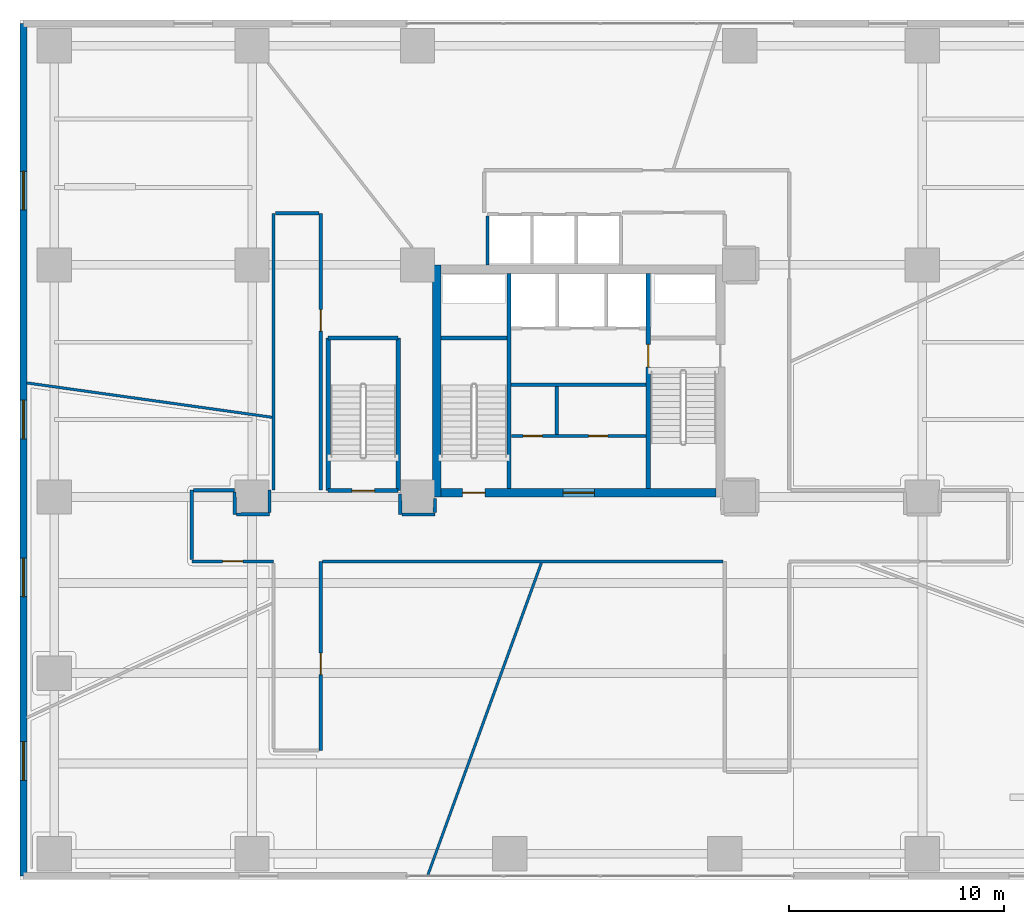
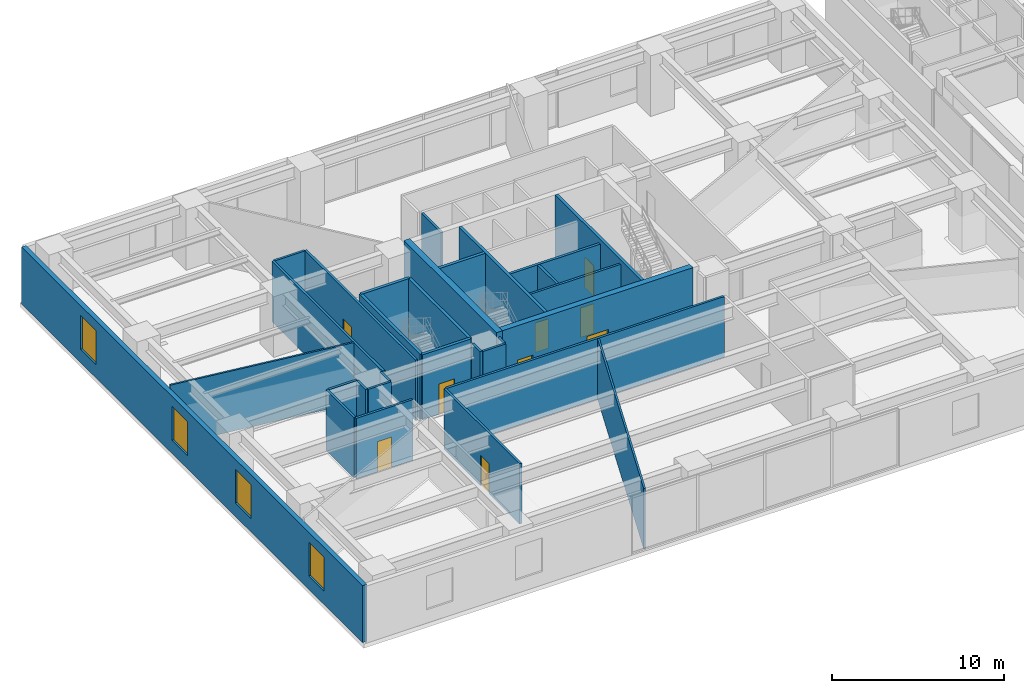
# One storey, part 17 of 25: 30 walls, 9 doors, 4 windows, 13 openings.
"""IFC4 building model written with IfcOpenShell, lengths in metres."""

from ifc_helpers import new_model, si_unit, direction, frame, frame_2d, origin, place, context, subcontext, project, spatial, rectangle, extrude, source, transform, mapped, material, layer, layer_set, type_object, type_shapes, element, fill, save


model = new_model("IFC4")

# Units and contexts
model_context = context("Model", 3, precision=1e-05, world=origin(), true_north=direction((0.0, 1.0)))
body_context = subcontext(model_context, "Body", "Model", "MODEL_VIEW")
ifc_project = project(units=[si_unit("LENGTHUNIT", "METRE"), si_unit("AREAUNIT", "SQUARE_METRE"), si_unit("VOLUMEUNIT", "CUBIC_METRE"), si_unit("PLANEANGLEUNIT", "RADIAN"), si_unit("MASSUNIT", "GRAM", prefix="KILO")], contexts=[model_context])

# Site, building, storey
site_placement = place(None, origin())
site = spatial("IfcSite", under=ifc_project, at=site_placement, CompositionType="ELEMENT")
building_placement = place(site_placement, origin())
building = spatial("IfcBuilding", under=site, at=building_placement, Name="Talar Marvaseh", CompositionType="ELEMENT")
storey_placement = place(building_placement, frame((0.0, 0.0, 5.199951171875)))
storey = spatial("IfcBuildingStorey", under=building, at=storey_placement, Name="L01", CompositionType="ELEMENT", Elevation=5.199951171875)

# Wall, openings, windows
ifc_material_1 = material(Name="Precast concrete C45/55", Category="concrete")
ifc_layer_1 = layer(ifc_material_1, 0.31005859375)
ifc_layer_set_1 = layer_set([ifc_layer_1], Name="Precast concrete C45/55")
wall_type_1 = type_object("IfcWallType", Name="Architectural Precast Limestone Podium Facade Wall 310", PredefinedType="SOLIDWALL", material=ifc_layer_set_1)
wall_1_placement = place(storey_placement, frame((0.159912109375, 8.159912109375, 0.0), z_axis=(0.0, 0.0, 1.0), x_axis=(0.0, 1.0, 0.0)))
wall_1 = element("IfcWall", 1, at=wall_1_placement, inside=storey, type_object=wall_type_1, Name="L01 Podium West Facade Wall", PredefinedType="SOLIDWALL", context=body_context, shape_type="SweptSolid", body=[
    extrude(rectangle(XDim=39.68017578125, YDim=0.31005859375, at=frame_2d((19.840087890625, 0.0))), origin(), (0.0, 0.0, 1.0), 4.050048828125),
])
opening_1_placement = place(wall_1_placement, frame((4.449951171875, 0.0, 0.949951171875)))
opening_1 = element("IfcOpeningElement", 2, at=opening_1_placement, cuts=wall_1, Name="Opening WN-POD18", PredefinedType="OPENING", context=body_context, shape_type="SweptSolid", body=[
    extrude(rectangle(XDim=1.800048828125, YDim=2.39990234375, at=frame_2d((0.89990234375, 1.199951171875))), frame((0.0, 0.1650390625, 0.0), z_axis=(0.0, -1.0, 0.0), x_axis=(1.0, 0.0, 0.0)), (0.0, 0.0, 1.0), 0.330078125),
])
opening_2_placement = place(wall_1_placement, frame((13.0, 0.0, 0.949951171875)))
opening_2 = element("IfcOpeningElement", 3, at=opening_2_placement, cuts=wall_1, Name="Opening WN-POD18", PredefinedType="OPENING", context=body_context, shape_type="SweptSolid", body=[
    extrude(rectangle(XDim=1.800048828125, YDim=2.39990234375, at=frame_2d((0.89990234375, 1.199951171875))), frame((0.0, 0.1650390625, 0.0), z_axis=(0.0, -1.0, 0.0), x_axis=(1.0, 0.0, 0.0)), (0.0, 0.0, 1.0), 0.330078125),
])
opening_3_placement = place(wall_1_placement, frame((20.35009765625, 0.0, 0.949951171875)))
opening_3 = element("IfcOpeningElement", 4, at=opening_3_placement, cuts=wall_1, Name="Opening WN-POD18", PredefinedType="OPENING", context=body_context, shape_type="SweptSolid", body=[
    extrude(rectangle(XDim=1.800048828125, YDim=2.39990234375, at=frame_2d((0.89990234375, 1.199951171875))), frame((0.0, 0.1650390625, 0.0), z_axis=(0.0, -1.0, 0.0), x_axis=(1.0, 0.0, 0.0)), (0.0, 0.0, 1.0), 0.330078125),
])
opening_4_placement = place(wall_1_placement, frame((31.0, 0.0, 0.949951171875)))
opening_4 = element("IfcOpeningElement", 5, at=opening_4_placement, cuts=wall_1, Name="Opening WN-POD18", PredefinedType="OPENING", context=body_context, shape_type="SweptSolid", body=[
    extrude(rectangle(XDim=1.800048828125, YDim=2.39990234375, at=frame_2d((0.89990234375, 1.199951171875))), frame((0.0, 0.1650390625, 0.0), z_axis=(0.0, -1.0, 0.0), x_axis=(1.0, 0.0, 0.0)), (0.0, 0.0, 1.0), 0.330078125),
])
ifc_material_2 = material(Name="Laminated Low-E Solar Glass", Category="glass")
window_type = type_object("IfcWindowType", Name="Podium Recessed Punched Solar Window 1800x2400", PartitioningType="SINGLE_PANEL", PredefinedType="WINDOW", material=ifc_material_2)
shared_shape_1 = source(origin(), body_context, "Body", "SweptSolid", [
    extrude(rectangle(XDim=1.800048828125, YDim=2.39990234375, at=frame_2d((0.89990234375, 1.199951171875))), frame((0.0, 0.030029296875, 0.0), z_axis=(0.0, -1.0, 0.0), x_axis=(1.0, 0.0, 0.0)), (0.0, 0.0, 1.0), 0.06005859375),
])
type_shapes(window_type, [shared_shape_1])
window_1_placement = place(opening_1_placement, origin())
window_1 = element("IfcWindow", 6, at=window_1_placement, inside=storey, type_object=window_type, Name="L01 Podium Solar Window", OverallHeight=2.39990234375, OverallWidth=1.800048828125, PartitioningType="SINGLE_PANEL", PredefinedType="WINDOW", context=body_context, shape_type="MappedRepresentation", body=[
    mapped(shared_shape_1, transform((0.0, 0.0, 0.0), x_axis=(1.0, 0.0, 0.0), y_axis=(0.0, 1.0, 0.0), z_axis=(0.0, 0.0, 1.0), scale=1.0)),
])
fill(opening_1, window_1)
window_2_placement = place(opening_2_placement, origin())
window_2 = element("IfcWindow", 7, at=window_2_placement, inside=storey, type_object=window_type, Name="L01 Podium Solar Window", OverallHeight=2.39990234375, OverallWidth=1.800048828125, PartitioningType="SINGLE_PANEL", PredefinedType="WINDOW", context=body_context, shape_type="MappedRepresentation", body=[
    mapped(shared_shape_1, transform((0.0, 0.0, 0.0), x_axis=(1.0, 0.0, 0.0), y_axis=(0.0, 1.0, 0.0), z_axis=(0.0, 0.0, 1.0), scale=1.0)),
])
fill(opening_2, window_2)
window_3_placement = place(opening_3_placement, origin())
window_3 = element("IfcWindow", 8, at=window_3_placement, inside=storey, type_object=window_type, Name="L01 Podium Solar Window", OverallHeight=2.39990234375, OverallWidth=1.800048828125, PartitioningType="SINGLE_PANEL", PredefinedType="WINDOW", context=body_context, shape_type="MappedRepresentation", body=[
    mapped(shared_shape_1, transform((0.0, 0.0, 0.0), x_axis=(1.0, 0.0, 0.0), y_axis=(0.0, 1.0, 0.0), z_axis=(0.0, 0.0, 1.0), scale=1.0)),
])
fill(opening_3, window_3)
window_4_placement = place(opening_4_placement, origin())
window_4 = element("IfcWindow", 9, at=window_4_placement, inside=storey, type_object=window_type, Name="L01 Podium Solar Window", OverallHeight=2.39990234375, OverallWidth=1.800048828125, PartitioningType="SINGLE_PANEL", PredefinedType="WINDOW", context=body_context, shape_type="MappedRepresentation", body=[
    mapped(shared_shape_1, transform((0.0, 0.0, 0.0), x_axis=(1.0, 0.0, 0.0), y_axis=(0.0, 1.0, 0.0), z_axis=(0.0, 0.0, 1.0), scale=1.0)),
])
fill(opening_4, window_4)

# Wall, openings, doors
ifc_material_3 = material(Name="Gypsum Board Partition Assembly")
ifc_layer_2 = layer(ifc_material_3, 0.155029296875)
ifc_layer_set_2 = layer_set([ifc_layer_2], Name="Gypsum Board Partition Assembly")
wall_type_2 = type_object("IfcWallType", Name="Corridor Fire-Rated Acoustic Partition 155", PredefinedType="PARTITIONING", material=ifc_layer_set_2)
wall_2_placement = place(storey_placement, frame((22.865966796875, 28.639892578125, 0.0), z_axis=(0.0, 0.0, 1.0), x_axis=(1.0, 0.0, 0.0)))
wall_2 = element("IfcWall", 10, at=wall_2_placement, inside=storey, type_object=wall_type_2, Name="L01 Core BOH Partition", PredefinedType="PARTITIONING", context=body_context, shape_type="SweptSolid", body=[
    extrude(rectangle(XDim=6.26806640625, YDim=0.155029296875, at=frame_2d((3.134033203125, 0.0))), origin(), (0.0, 0.0, 1.0), 4.300048828125),
])
opening_5_placement = place(wall_2_placement, frame((0.550048828125, 0.0, 0.0)))
opening_5 = element("IfcOpeningElement", 11, at=opening_5_placement, cuts=wall_2, Name="Opening DR-BOH090", PredefinedType="OPENING", context=body_context, shape_type="SweptSolid", body=[
    extrude(rectangle(XDim=0.89990234375, YDim=2.10009765625, at=frame_2d((0.449951171875, 1.050048828125))), frame((0.0, 0.08740234375, 0.0), z_axis=(0.0, -1.0, 0.0), x_axis=(1.0, 0.0, 0.0)), (0.0, 0.0, 1.0), 0.175048828125),
])
opening_6_placement = place(wall_2_placement, frame((3.60009765625, 0.0, 0.0)))
opening_6 = element("IfcOpeningElement", 12, at=opening_6_placement, cuts=wall_2, Name="Opening DR-BOH090", PredefinedType="OPENING", context=body_context, shape_type="SweptSolid", body=[
    extrude(rectangle(XDim=0.89990234375, YDim=2.10009765625, at=frame_2d((0.449951171875, 1.050048828125))), frame((0.0, 0.08740234375, 0.0), z_axis=(0.0, -1.0, 0.0), x_axis=(1.0, 0.0, 0.0)), (0.0, 0.0, 1.0), 0.175048828125),
])
ifc_material_4 = material(Name="Fire-Rated Steel Door Leaf", Category="steel")
door_type_1 = type_object("IfcDoorType", Name="Core Back-of-House Service Door 900x2100", OperationType="NOTDEFINED", PredefinedType="DOOR", material=ifc_material_4)
shared_shape_2 = source(origin(), body_context, "Body", "SweptSolid", [
    extrude(rectangle(XDim=0.89990234375, YDim=2.10009765625, at=frame_2d((0.449951171875, 1.050048828125))), frame((0.0, 0.02490234375, 0.0), z_axis=(0.0, -1.0, 0.0), x_axis=(1.0, 0.0, 0.0)), (0.0, 0.0, 1.0), 0.050048828125),
])
type_shapes(door_type_1, [shared_shape_2])
door_1_placement = place(opening_5_placement, origin())
door_1 = element("IfcDoor", 13, at=door_1_placement, inside=storey, type_object=door_type_1, Name="L01 Cleaner Janitor Store Door", OperationType="SINGLE_SWING_LEFT", OverallHeight=2.10009765625, OverallWidth=0.89990234375, PredefinedType="DOOR", context=body_context, shape_type="MappedRepresentation", body=[
    mapped(shared_shape_2, transform((0.0, 0.0, 0.0), x_axis=(1.0, 0.0, 0.0), y_axis=(0.0, 1.0, 0.0), z_axis=(0.0, 0.0, 1.0), scale=1.0)),
])
fill(opening_5, door_1)
door_2_placement = place(opening_6_placement, origin())
door_2 = element("IfcDoor", 14, at=door_2_placement, inside=storey, type_object=door_type_1, Name="L01 Plant Core Electrical Meter Room Door", OperationType="SINGLE_SWING_RIGHT", OverallHeight=2.10009765625, OverallWidth=0.89990234375, PredefinedType="DOOR", context=body_context, shape_type="MappedRepresentation", body=[
    mapped(shared_shape_2, transform((0.0, 0.0, 0.0), x_axis=(1.0, 0.0, 0.0), y_axis=(0.0, 1.0, 0.0), z_axis=(0.0, 0.0, 1.0), scale=1.0)),
])
fill(opening_6, door_2)

# Wall
wall_3_placement = place(storey_placement, frame((24.97998046875, 28.719970703125, 0.0), z_axis=(0.0, 0.0, 1.0), x_axis=(0.0, 1.0, 0.0)))
element("IfcWall", 15, at=wall_3_placement, inside=storey, type_object=wall_type_2, Name="L01 Core BOH Partition", PredefinedType="PARTITIONING", context=body_context, shape_type="SweptSolid", body=[
    extrude(rectangle(XDim=2.219970703125, YDim=0.155029296875, at=frame_2d((1.10986328125, 0.0))), origin(), (0.0, 0.0, 1.0), 4.300048828125),
])

# Wall, opening, door
wall_4_placement = place(storey_placement, frame((14.0, 22.800048828125, 0.0), z_axis=(0.0, 0.0, 1.0), x_axis=(0.0, -1.0, 0.0)))
wall_4 = element("IfcWall", 16, at=wall_4_placement, inside=storey, type_object=wall_type_2, Name="L01 Interior Partition Wall", PredefinedType="PARTITIONING", context=body_context, shape_type="SweptSolid", body=[
    extrude(rectangle(XDim=8.800048828125, YDim=0.155029296875, at=frame_2d((4.39990234375, 0.0))), origin(), (0.0, 0.0, 1.0), 4.300048828125),
])
opening_7_placement = place(wall_4_placement, frame((4.2705078125, 0.0, 0.0)))
opening_7 = element("IfcOpeningElement", 17, at=opening_7_placement, cuts=wall_4, Name="Opening DR-RM100", PredefinedType="OPENING", context=body_context, shape_type="SweptSolid", body=[
    extrude(rectangle(XDim=1.0, YDim=2.14990234375, at=frame_2d((0.5, 1.074951171875))), frame((0.0, 0.08740234375, 0.0), z_axis=(0.0, -1.0, 0.0), x_axis=(1.0, 0.0, 0.0)), (0.0, 0.0, 1.0), 0.175048828125),
])
ifc_material_5 = material(Name="Acoustic Engineered Oak Timber", Category="wood")
door_type_2 = type_object("IfcDoorType", Name="Corridor Fire-Rated Gallery Door 1000x2150", OperationType="NOTDEFINED", PredefinedType="DOOR", material=ifc_material_5)
shared_shape_3 = source(origin(), body_context, "Body", "SweptSolid", [
    extrude(rectangle(XDim=1.0, YDim=2.14990234375, at=frame_2d((0.5, 1.074951171875))), frame((0.0, 0.02490234375, 0.0), z_axis=(0.0, -1.0, 0.0), x_axis=(1.0, 0.0, 0.0)), (0.0, 0.0, 1.0), 0.050048828125),
])
type_shapes(door_type_2, [shared_shape_3])
door_3_placement = place(opening_7_placement, origin())
door_3 = element("IfcDoor", 18, at=door_3_placement, inside=storey, type_object=door_type_2, Name="L01 Station Mezzanine Balcony Foyer Door", OperationType="SINGLE_SWING_LEFT", OverallHeight=2.14990234375, OverallWidth=1.0, PredefinedType="DOOR", context=body_context, shape_type="MappedRepresentation", body=[
    mapped(shared_shape_3, transform((0.0, 0.0, 0.0), x_axis=(1.0, 0.0, 0.0), y_axis=(0.0, 1.0, 0.0), z_axis=(0.0, 0.0, 1.0), scale=1.0)),
])
fill(opening_7, door_3)

wall_5_placement = place(storey_placement, frame((11.800048828125, 22.800048828125, 0.0), z_axis=(0.0, 0.0, 1.0), x_axis=(-1.0, 0.0, 0.0)))
wall_5 = element("IfcWall", 19, at=wall_5_placement, inside=storey, type_object=wall_type_2, Name="L01 Interior Partition Wall", PredefinedType="PARTITIONING", context=body_context, shape_type="SweptSolid", body=[
    extrude(rectangle(XDim=3.800048828125, YDim=0.155029296875, at=frame_2d((1.89990234375, 0.0))), origin(), (0.0, 0.0, 1.0), 4.300048828125),
])
opening_8_placement = place(wall_5_placement, frame((1.425048828125, 0.0, 0.0)))
opening_8 = element("IfcOpeningElement", 20, at=opening_8_placement, cuts=wall_5, Name="Opening DR-WC095", PredefinedType="OPENING", context=body_context, shape_type="SweptSolid", body=[
    extrude(rectangle(XDim=0.949951171875, YDim=2.14990234375, at=frame_2d((0.47509765625, 1.074951171875))), frame((0.0, 0.08740234375, 0.0), z_axis=(0.0, -1.0, 0.0), x_axis=(1.0, 0.0, 0.0)), (0.0, 0.0, 1.0), 0.175048828125),
])
door_type_3 = type_object("IfcDoorType", Name="Washroom and Service Room Door 950x2150", OperationType="NOTDEFINED", PredefinedType="DOOR", material=ifc_material_5)
shared_shape_4 = source(origin(), body_context, "Body", "SweptSolid", [
    extrude(rectangle(XDim=0.949951171875, YDim=2.14990234375, at=frame_2d((0.47509765625, 1.074951171875))), frame((0.0, 0.02490234375, 0.0), z_axis=(0.0, -1.0, 0.0), x_axis=(1.0, 0.0, 0.0)), (0.0, 0.0, 1.0), 0.050048828125),
])
type_shapes(door_type_3, [shared_shape_4])
door_4_placement = place(opening_8_placement, origin())
door_4 = element("IfcDoor", 21, at=door_4_placement, inside=storey, type_object=door_type_3, Name="L01 Accessible WC Block Door", OperationType="SINGLE_SWING_RIGHT", OverallHeight=2.14990234375, OverallWidth=0.949951171875, PredefinedType="DOOR", context=body_context, shape_type="MappedRepresentation", body=[
    mapped(shared_shape_4, transform((0.0, 0.0, 0.0), x_axis=(1.0, 0.0, 0.0), y_axis=(0.0, 1.0, 0.0), z_axis=(0.0, 0.0, 1.0), scale=1.0)),
])
fill(opening_8, door_4)

wall_6_placement = place(storey_placement, frame((14.0, 39.0, 0.0), z_axis=(0.0, 0.0, 1.0), x_axis=(0.0, -1.0, 0.0)))
wall_6 = element("IfcWall", 22, at=wall_6_placement, inside=storey, type_object=wall_type_2, Name="L01 Interior Partition Wall", PredefinedType="PARTITIONING", context=body_context, shape_type="SweptSolid", body=[
    extrude(rectangle(XDim=12.8798828125, YDim=0.155029296875, at=frame_2d((6.43994140625, 0.0))), origin(), (0.0, 0.0, 1.0), 4.300048828125),
])
opening_9_placement = place(wall_6_placement, frame((4.477294921875, 0.0, 0.0)))
opening_9 = element("IfcOpeningElement", 23, at=opening_9_placement, cuts=wall_6, Name="Opening DR-RM100", PredefinedType="OPENING", context=body_context, shape_type="SweptSolid", body=[
    extrude(rectangle(XDim=1.0, YDim=2.14990234375, at=frame_2d((0.5, 1.074951171875))), frame((0.0, 0.08740234375, 0.0), z_axis=(0.0, -1.0, 0.0), x_axis=(1.0, 0.0, 0.0)), (0.0, 0.0, 1.0), 0.175048828125),
])
door_5_placement = place(opening_9_placement, origin())
door_5 = element("IfcDoor", 24, at=door_5_placement, inside=storey, type_object=door_type_2, Name="L01 Mezzanine Espresso Bar Door", OperationType="SINGLE_SWING_LEFT", OverallHeight=2.14990234375, OverallWidth=1.0, PredefinedType="DOOR", context=body_context, shape_type="MappedRepresentation", body=[
    mapped(shared_shape_3, transform((0.0, 0.0, 0.0), x_axis=(1.0, 0.0, 0.0), y_axis=(0.0, 1.0, 0.0), z_axis=(0.0, 0.0, 1.0), scale=1.0)),
])
fill(opening_9, door_5)

# Walls
wall_7_placement = place(storey_placement, frame((32.716552734375, 22.800048828125, 0.0), z_axis=(0.0, 0.0, 1.0), x_axis=(-1.0, 0.0, 0.0)))
element("IfcWall", 25, at=wall_7_placement, inside=storey, type_object=wall_type_2, Name="L01 Interior Partition Wall", PredefinedType="PARTITIONING", context=body_context, shape_type="SweptSolid", body=[
    extrude(rectangle(XDim=18.633056640625, YDim=0.155029296875, at=frame_2d((9.31640625, 0.0))), origin(), (0.0, 0.0, 1.0), 4.300048828125),
])
wall_8_placement = place(storey_placement, frame((8.0, 22.883544921875, 0.0), z_axis=(0.0, 0.0, 1.0), x_axis=(0.0, 1.0, 0.0)))
element("IfcWall", 26, at=wall_8_placement, inside=storey, type_object=wall_type_2, Name="L01 Interior Partition Wall", PredefinedType="PARTITIONING", context=body_context, shape_type="SweptSolid", body=[
    extrude(rectangle(XDim=3.236572265625, YDim=0.155029296875, at=frame_2d((1.6181640625, 0.0))), origin(), (0.0, 0.0, 1.0), 4.300048828125),
])
wall_9_placement = place(storey_placement, frame((8.08349609375, 26.1201171875, 0.0), z_axis=(0.0, 0.0, 1.0), x_axis=(1.0, 0.0, 0.0)))
element("IfcWall", 27, at=wall_9_placement, inside=storey, type_object=wall_type_2, Name="L01 Interior Partition Wall", PredefinedType="PARTITIONING", context=body_context, shape_type="SweptSolid", body=[
    extrude(rectangle(XDim=1.901611328125, YDim=0.155029296875, at=frame_2d((0.95068359375, 0.0))), origin(), (0.0, 0.0, 1.0), 4.300048828125),
])
wall_10_placement = place(storey_placement, frame((9.985595703125, 26.03662109375, 0.0), z_axis=(0.0, 0.0, 1.0), x_axis=(0.005817914102, -0.999983075795, 0.0)))
element("IfcWall", 28, at=wall_10_placement, inside=storey, type_object=wall_type_2, Name="L01 Interior Partition Wall", PredefinedType="PARTITIONING", context=body_context, shape_type="SweptSolid", body=[
    extrude(rectangle(XDim=1.049072265625, YDim=0.155029296875, at=frame_2d((0.5244140625, 0.0))), origin(), (0.0, 0.0, 1.0), 4.300048828125),
])
wall_11_placement = place(storey_placement, frame((10.0751953125, 24.988037109375, 0.0), z_axis=(0.0, 0.0, 1.0), x_axis=(0.99998278709, 0.005867326851, 0.0)))
element("IfcWall", 29, at=wall_11_placement, inside=storey, type_object=wall_type_2, Name="L01 Interior Partition Wall", PredefinedType="PARTITIONING", context=body_context, shape_type="SweptSolid", body=[
    extrude(rectangle(XDim=1.53955078125, YDim=0.155029296875, at=frame_2d((0.769775390625, 0.0))), origin(), (0.0, 0.0, 1.0), 4.300048828125),
])
wall_12_placement = place(storey_placement, frame((11.61474609375, 25.08056640625, 0.0), z_axis=(0.0, 0.0, 1.0), x_axis=(0.000234852037, 0.999999972422, 0.0)))
element("IfcWall", 30, at=wall_12_placement, inside=storey, type_object=wall_type_2, Name="L01 Interior Partition Wall", PredefinedType="PARTITIONING", context=body_context, shape_type="SweptSolid", body=[
    extrude(rectangle(XDim=1.03955078125, YDim=0.155029296875, at=frame_2d((0.519775390625, 0.0))), origin(), (0.0, 0.0, 1.0), 4.300048828125),
])
wall_13_placement = place(storey_placement, frame((11.800048828125, 26.1201171875, 0.0), z_axis=(0.0, 0.0, 1.0), x_axis=(0.0, 1.0, 0.0)))
element("IfcWall", 31, at=wall_13_placement, inside=storey, type_object=wall_type_2, Name="L01 Interior Partition Wall", PredefinedType="PARTITIONING", context=body_context, shape_type="SweptSolid", body=[
    extrude(rectangle(XDim=12.8798828125, YDim=0.155029296875, at=frame_2d((6.43994140625, 0.0))), origin(), (0.0, 0.0, 1.0), 4.300048828125),
])
wall_14_placement = place(storey_placement, frame((11.883544921875, 39.0, 0.0), z_axis=(0.0, 0.0, 1.0), x_axis=(1.0, 0.0, 0.0)))
element("IfcWall", 32, at=wall_14_placement, inside=storey, type_object=wall_type_2, Name="L01 Interior Partition Wall", PredefinedType="PARTITIONING", context=body_context, shape_type="SweptSolid", body=[
    extrude(rectangle(XDim=2.032958984375, YDim=0.155029296875, at=frame_2d((1.0166015625, 0.0))), origin(), (0.0, 0.0, 1.0), 4.300048828125),
])
wall_15_placement = place(storey_placement, frame((17.68505859375, 25.949951171875, 0.0), z_axis=(0.0, 0.0, 1.0), x_axis=(0.013915656501, -0.999903172564, 0.0)))
element("IfcWall", 33, at=wall_15_placement, inside=storey, type_object=wall_type_2, Name="L01 Interior Partition Wall", PredefinedType="PARTITIONING", context=body_context, shape_type="SweptSolid", body=[
    extrude(rectangle(XDim=0.96484375, YDim=0.155029296875, at=frame_2d((0.482421875, 0.0))), origin(), (0.0, 0.0, 1.0), 4.300048828125),
])
wall_16_placement = place(storey_placement, frame((17.781982421875, 24.985107421875, 0.0), z_axis=(0.0, 0.0, 1.0), x_axis=(0.999999372198, 0.001120537155, 0.0)))
element("IfcWall", 34, at=wall_16_placement, inside=storey, type_object=wall_type_2, Name="L01 Interior Partition Wall", PredefinedType="PARTITIONING", context=body_context, shape_type="SweptSolid", body=[
    extrude(rectangle(XDim=1.525146484375, YDim=0.155029296875, at=frame_2d((0.7626953125, 0.0))), origin(), (0.0, 0.0, 1.0), 4.300048828125),
])
wall_17_placement = place(storey_placement, frame((19.30810546875, 25.0703125, 0.0), z_axis=(0.0, 0.0, 1.0), x_axis=(0.010362137944, 0.999946311607, 0.0)))
element("IfcWall", 35, at=wall_17_placement, inside=storey, type_object=wall_type_2, Name="L01 Interior Partition Wall", PredefinedType="PARTITIONING", context=body_context, shape_type="SweptSolid", body=[
    extrude(rectangle(XDim=0.65966796875, YDim=0.155029296875, at=frame_2d((0.329833984375, 0.0))), origin(), (0.0, 0.0, 1.0), 4.300048828125),
])
ifc_layer_3 = layer(ifc_material_3, 0.1201171875)
ifc_layer_set_3 = layer_set([ifc_layer_3], Name="Gypsum Board Partition Assembly")
wall_type_3 = type_object("IfcWallType", Name="Demountable Studio Room Partition 120", PredefinedType="PARTITIONING", material=ifc_layer_set_3)
wall_18_placement = place(storey_placement, frame((0.31005859375, 31.110107421875, 0.0), z_axis=(0.0, 0.0, 1.0), x_axis=(0.990323897966, -0.138775275601, 0.0)))
element("IfcWall", 36, at=wall_18_placement, inside=storey, type_object=wall_type_3, Name="L01 Interior Partition Wall", PredefinedType="PARTITIONING", context=body_context, shape_type="SweptSolid", body=[
    extrude(rectangle(XDim=11.537109375, YDim=0.1201171875, at=frame_2d((5.7685546875, 0.0))), origin(), (0.0, 0.0, 1.0), 4.300048828125),
])
wall_19_placement = place(storey_placement, frame((24.259765625, 22.716552734375, 0.0), z_axis=(0.0, 0.0, 1.0), x_axis=(-0.341796301658, -0.939774062301, 0.0)))
element("IfcWall", 37, at=wall_19_placement, inside=storey, type_object=wall_type_3, Name="L01 Interior Partition Wall", PredefinedType="PARTITIONING", context=body_context, shape_type="SweptSolid", body=[
    extrude(rectangle(XDim=15.46435546875, YDim=0.1201171875, at=frame_2d((7.732177734375, 0.0))), origin(), (0.0, 0.0, 1.0), 4.300048828125),
])
ifc_layer_4 = layer(ifc_material_1, 0.14501953125)
ifc_layer_set_4 = layer_set([ifc_layer_4], Name="Precast concrete C45/55")
wall_type_4 = type_object("IfcWallType", Name="Fire-Rated Lift Divider Wall 145", PredefinedType="SOLIDWALL", material=ifc_layer_set_4)
wall_20_placement = place(storey_placement, frame((21.760009765625, 36.60009765625, 0.0), z_axis=(0.0, 0.0, 1.0), x_axis=(0.0, 1.0, 0.0)))
element("IfcWall", 38, at=wall_20_placement, inside=storey, type_object=wall_type_4, Name="L01 Low-Rise Bank West Wall", PredefinedType="SOLIDWALL", context=body_context, shape_type="SweptSolid", body=[
    extrude(rectangle(XDim=2.266357421875, YDim=0.14501953125, at=frame_2d((1.13330078125, 0.0))), origin(), (0.0, 0.0, 1.0), 4.300048828125),
])
ifc_layer_5 = layer(ifc_material_1, 0.175048828125)
ifc_layer_set_5 = layer_set([ifc_layer_5], Name="Precast concrete C45/55")
wall_type_5 = type_object("IfcWallType", Name="Fire-Rated Lift Hoistway Enclosure Wall 175", PredefinedType="SOLIDWALL", material=ifc_layer_set_5)
wall_21_placement = place(storey_placement, frame((22.860107421875, 31.02001953125, 0.0), z_axis=(0.0, 0.0, 1.0), x_axis=(1.0, 0.0, 0.0)))
element("IfcWall", 39, at=wall_21_placement, inside=storey, type_object=wall_type_5, Name="L01 Firefighting Lobby South Smoke Wall", PredefinedType="SOLIDWALL", context=body_context, shape_type="SweptSolid", body=[
    extrude(rectangle(XDim=6.27978515625, YDim=0.175048828125, at=frame_2d((3.139892578125, 0.0))), origin(), (0.0, 0.0, 1.0), 4.300048828125),
])
ifc_material_6 = material(Name="Concrete C70/85", Category="concrete")
ifc_layer_6 = layer(ifc_material_6, 0.39990234375)
ifc_layer_set_6 = layer_set([ifc_layer_6], Name="Concrete C70/85")
wall_type_6 = type_object("IfcWallType", Name="Lower Core Reinforced Concrete Shear Wall 400", PredefinedType="SHEAR", material=ifc_layer_set_6)
wall_22_placement = place(storey_placement, frame((19.39990234375, 25.800048828125, 0.0), z_axis=(0.0, 0.0, 1.0), x_axis=(0.0, 1.0, 0.0)))
element("IfcWall", 40, at=wall_22_placement, inside=storey, type_object=wall_type_6, Name="L01 West Core Shear Wall", PredefinedType="SHEAR", context=body_context, shape_type="SweptSolid", body=[
    extrude(rectangle(XDim=10.800048828125, YDim=0.39990234375, at=frame_2d((5.39990234375, 0.0))), origin(), (0.0, 0.0, 1.0), 4.60009765625),
])

# Wall, openings, doors
wall_23_placement = place(storey_placement, frame((32.39990234375, 26.0, 0.0), z_axis=(0.0, 0.0, 1.0), x_axis=(-1.0, 0.0, 0.0)))
wall_23 = element("IfcWall", 41, at=wall_23_placement, inside=storey, type_object=wall_type_6, Name="L01 South Core Shear Wall", PredefinedType="SHEAR", context=body_context, shape_type="SweptSolid", body=[
    extrude(rectangle(XDim=12.7998046875, YDim=0.39990234375, at=frame_2d((6.39990234375, 0.0))), origin(), (0.0, 0.0, 1.0), 4.60009765625),
])
opening_10_placement = place(wall_23_placement, frame((10.75, 0.0, 0.0)))
opening_10 = element("IfcOpeningElement", 42, at=opening_10_placement, cuts=wall_23, Name="Opening DR-ST105", PredefinedType="OPENING", context=body_context, shape_type="SweptSolid", body=[
    extrude(rectangle(XDim=1.050048828125, YDim=2.14990234375, at=frame_2d((0.52490234375, 1.074951171875))), frame((0.0, 0.2099609375, 0.0), z_axis=(0.0, -1.0, 0.0), x_axis=(1.0, 0.0, 0.0)), (0.0, 0.0, 1.0), 0.419921875),
])
opening_11_placement = place(wall_23_placement, frame((5.669921875, 0.0, 0.0)))
opening_11 = element("IfcOpeningElement", 43, at=opening_11_placement, cuts=wall_23, Name="Opening DR-LBY145", PredefinedType="OPENING", context=body_context, shape_type="SweptSolid", body=[
    extrude(rectangle(XDim=1.449951171875, YDim=2.199951171875, at=frame_2d((0.72509765625, 1.10009765625))), frame((0.0, 0.2099609375, 0.0), z_axis=(0.0, -1.0, 0.0), x_axis=(1.0, 0.0, 0.0)), (0.0, 0.0, 1.0), 0.419921875),
])
door_type_4 = type_object("IfcDoorType", Name="Protected Exit Stair Fire Door 1050x2150", OperationType="NOTDEFINED", PredefinedType="DOOR", material=ifc_material_4)
shared_shape_5 = source(origin(), body_context, "Body", "SweptSolid", [
    extrude(rectangle(XDim=1.050048828125, YDim=2.14990234375, at=frame_2d((0.52490234375, 1.074951171875))), frame((0.0, 0.02490234375, 0.0), z_axis=(0.0, -1.0, 0.0), x_axis=(1.0, 0.0, 0.0)), (0.0, 0.0, 1.0), 0.050048828125),
])
type_shapes(door_type_4, [shared_shape_5])
door_6_placement = place(opening_10_placement, origin())
door_6 = element("IfcDoor", 44, at=door_6_placement, inside=storey, type_object=door_type_4, Name="L01 Stair ST-1 Exit Door", OperationType="SINGLE_SWING_RIGHT", OverallHeight=2.14990234375, OverallWidth=1.050048828125, PredefinedType="DOOR", context=body_context, shape_type="MappedRepresentation", body=[
    mapped(shared_shape_5, transform((0.0, 0.0, 0.0), x_axis=(1.0, 0.0, 0.0), y_axis=(0.0, 1.0, 0.0), z_axis=(0.0, 0.0, 1.0), scale=1.0)),
])
fill(opening_10, door_6)
door_type_5 = type_object("IfcDoorType", Name="Core Lift Lobby Double Smoke Door 1450x2200", OperationType="NOTDEFINED", PredefinedType="DOOR", material=ifc_material_4)
shared_shape_6 = source(origin(), body_context, "Body", "SweptSolid", [
    extrude(rectangle(XDim=1.449951171875, YDim=2.199951171875, at=frame_2d((0.72509765625, 1.10009765625))), frame((0.0, 0.02490234375, 0.0), z_axis=(0.0, -1.0, 0.0), x_axis=(1.0, 0.0, 0.0)), (0.0, 0.0, 1.0), 0.050048828125),
])
type_shapes(door_type_5, [shared_shape_6])
door_7_placement = place(opening_11_placement, origin())
door_7 = element("IfcDoor", 45, at=door_7_placement, inside=storey, type_object=door_type_5, Name="L01 Passenger Lift Lobby Entrance Door", OperationType="DOUBLE_DOOR_SINGLE_SWING", OverallHeight=2.199951171875, OverallWidth=1.449951171875, PredefinedType="DOOR", context=body_context, shape_type="MappedRepresentation", body=[
    mapped(shared_shape_6, transform((0.0, 0.0, 0.0), x_axis=(1.0, 0.0, 0.0), y_axis=(0.0, 1.0, 0.0), z_axis=(0.0, 0.0, 1.0), scale=1.0)),
])
fill(opening_11, door_7)

# Wall
ifc_material_7 = material(Name="Concrete C50/60", Category="concrete")
ifc_layer_7 = layer(ifc_material_7, 0.199951171875)
ifc_layer_set_7 = layer_set([ifc_layer_7], Name="Concrete C50/60")
wall_type_7 = type_object("IfcWallType", Name="Stair Shaft Structural Concrete Shear Wall 200", PredefinedType="SHEAR", material=ifc_layer_set_7)
wall_24_placement = place(storey_placement, frame((22.760009765625, 26.199951171875, 0.0), z_axis=(0.0, 0.0, 1.0), x_axis=(0.0, 1.0, 0.0)))
element("IfcWall", 46, at=wall_24_placement, inside=storey, type_object=wall_type_7, Name="L01 Core West Stair Shear Wall", PredefinedType="SHEAR", context=body_context, shape_type="SweptSolid", body=[
    extrude(rectangle(XDim=10.0, YDim=0.199951171875, at=frame_2d((5.0, 0.0))), origin(), (0.0, 0.0, 1.0), 4.60009765625),
])

# Wall, opening, door
wall_25_placement = place(storey_placement, frame((29.239990234375, 26.199951171875, 0.0), z_axis=(0.0, 0.0, 1.0), x_axis=(0.0, 1.0, 0.0)))
wall_25 = element("IfcWall", 47, at=wall_25_placement, inside=storey, type_object=wall_type_7, Name="L01 Core East Stair Shear Wall", PredefinedType="SHEAR", context=body_context, shape_type="SweptSolid", body=[
    extrude(rectangle(XDim=10.0, YDim=0.199951171875, at=frame_2d((5.0, 0.0))), origin(), (0.0, 0.0, 1.0), 4.60009765625),
])
opening_12_placement = place(wall_25_placement, frame((5.64990234375, 0.0, 0.0)))
opening_12 = element("IfcOpeningElement", 48, at=opening_12_placement, cuts=wall_25, Name="Opening DR-ST105", PredefinedType="OPENING", context=body_context, shape_type="SweptSolid", body=[
    extrude(rectangle(XDim=1.050048828125, YDim=2.14990234375, at=frame_2d((0.52490234375, 1.074951171875))), frame((0.0, 0.10986328125, 0.0), z_axis=(0.0, -1.0, 0.0), x_axis=(1.0, 0.0, 0.0)), (0.0, 0.0, 1.0), 0.219970703125),
])
door_8_placement = place(opening_12_placement, origin())
door_8 = element("IfcDoor", 49, at=door_8_placement, inside=storey, type_object=door_type_4, Name="L01 Firefighting Lobby to Stair ST-2 Door", OperationType="SINGLE_SWING_LEFT", OverallHeight=2.14990234375, OverallWidth=1.050048828125, PredefinedType="DOOR", context=body_context, shape_type="MappedRepresentation", body=[
    mapped(shared_shape_5, transform((0.0, 0.0, 0.0), x_axis=(1.0, 0.0, 0.0), y_axis=(0.0, 1.0, 0.0), z_axis=(0.0, 0.0, 1.0), scale=1.0)),
])
fill(opening_12, door_8)

# Wall
wall_26_placement = place(storey_placement, frame((19.60009765625, 33.199951171875, 0.0), z_axis=(0.0, 0.0, 1.0), x_axis=(1.0, 0.0, 0.0)))
element("IfcWall", 50, at=wall_26_placement, inside=storey, type_object=wall_type_7, Name="L01 Stair ST-1 North Shear Wall", PredefinedType="SHEAR", context=body_context, shape_type="SweptSolid", body=[
    extrude(rectangle(XDim=3.059814453125, YDim=0.199951171875, at=frame_2d((1.52978515625, 0.0))), origin(), (0.0, 0.0, 1.0), 4.60009765625),
])

# Wall, opening, door
wall_27_placement = place(storey_placement, frame((17.60009765625, 26.10009765625, 0.0), z_axis=(0.0, 0.0, 1.0), x_axis=(-1.0, 0.0, 0.0)))
wall_27 = element("IfcWall", 51, at=wall_27_placement, inside=storey, type_object=wall_type_7, Name="L01 Stair ST-3 South Shear Wall", PredefinedType="SHEAR", context=body_context, shape_type="SweptSolid", body=[
    extrude(rectangle(XDim=3.260009765625, YDim=0.199951171875, at=frame_2d((1.6298828125, 0.0))), origin(), (0.0, 0.0, 1.0), 4.60009765625),
])
opening_13_placement = place(wall_27_placement, frame((1.10009765625, 0.0, 0.0)))
opening_13 = element("IfcOpeningElement", 52, at=opening_13_placement, cuts=wall_27, Name="Opening DR-ST105", PredefinedType="OPENING", context=body_context, shape_type="SweptSolid", body=[
    extrude(rectangle(XDim=1.050048828125, YDim=2.14990234375, at=frame_2d((0.52490234375, 1.074951171875))), frame((0.0, 0.10986328125, 0.0), z_axis=(0.0, -1.0, 0.0), x_axis=(1.0, 0.0, 0.0)), (0.0, 0.0, 1.0), 0.219970703125),
])
door_9_placement = place(opening_13_placement, origin())
door_9 = element("IfcDoor", 53, at=door_9_placement, inside=storey, type_object=door_type_4, Name="L01 Stair ST-3 Exit Door", OperationType="SINGLE_SWING_LEFT", OverallHeight=2.14990234375, OverallWidth=1.050048828125, PredefinedType="DOOR", context=body_context, shape_type="MappedRepresentation", body=[
    mapped(shared_shape_5, transform((0.0, 0.0, 0.0), x_axis=(1.0, 0.0, 0.0), y_axis=(0.0, 1.0, 0.0), z_axis=(0.0, 0.0, 1.0), scale=1.0)),
])
fill(opening_13, door_9)

# Walls
wall_28_placement = place(storey_placement, frame((14.340087890625, 33.199951171875, 0.0), z_axis=(0.0, 0.0, 1.0), x_axis=(1.0, 0.0, 0.0)))
element("IfcWall", 54, at=wall_28_placement, inside=storey, type_object=wall_type_7, Name="L01 Stair ST-3 North Shear Wall", PredefinedType="SHEAR", context=body_context, shape_type="SweptSolid", body=[
    extrude(rectangle(XDim=3.260009765625, YDim=0.199951171875, at=frame_2d((1.6298828125, 0.0))), origin(), (0.0, 0.0, 1.0), 4.60009765625),
])
for number, where, z_axis, x_axis, name in (
    (55, (14.340087890625, 26.10009765625, 0.0), (0.0, 0.0, 1.0), (0.0, 1.0, 0.0), "L01 Stair ST-3 West Shear Wall"),
    (56, (17.60009765625, 26.10009765625, 0.0), (0.0, 0.0, 1.0), (0.0, 1.0, 0.0), "L01 Stair ST-3 East Shear Wall"),
):
    element("IfcWall", number, at=place(storey_placement, frame(where, z_axis=z_axis, x_axis=x_axis)), inside=storey, type_object=wall_type_7, Name=name, PredefinedType="SHEAR", context=body_context, shape_type="SweptSolid", body=[
        extrude(rectangle(XDim=7.099853515625, YDim=0.199951171875, at=frame_2d((3.5498046875, 0.0))), origin(), (0.0, 0.0, 1.0), 4.60009765625),
    ])

save(model, "model.ifc")
